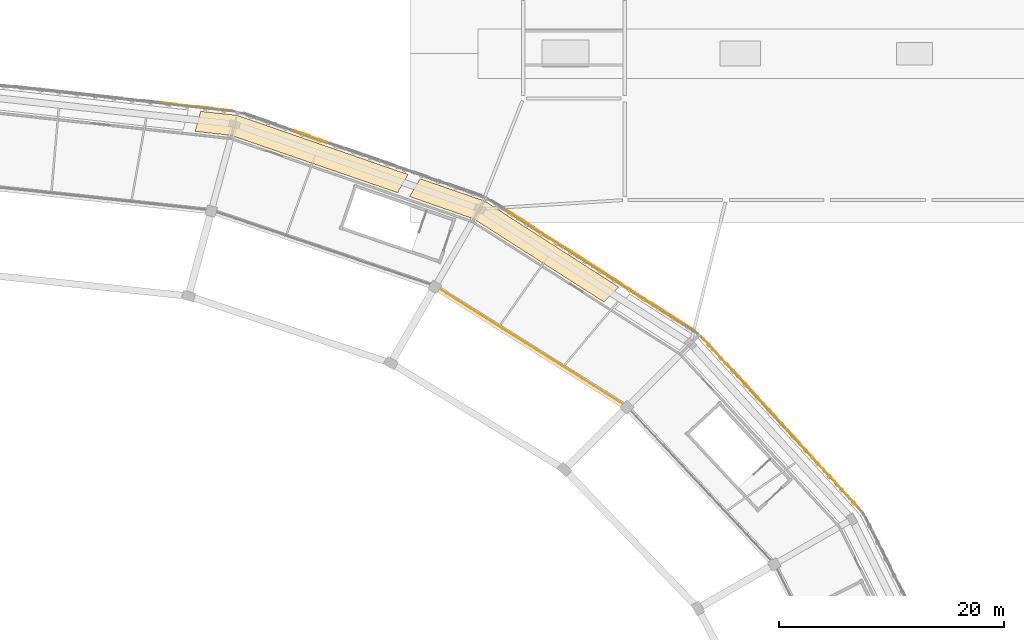
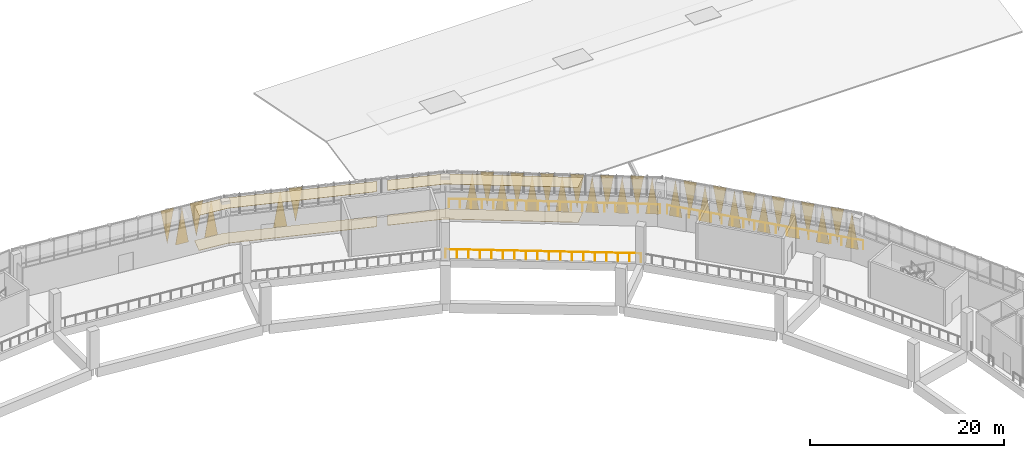
# One storey, part 104 of 108: 36 coverings, 3 railings.
"""IFC4 building model written with IfcOpenShell, lengths in metres."""

from ifc_helpers import new_model, si_unit, direction, frame, origin, origin_2d, place, context, subcontext, project, spatial, polyline, circle, outline, extrude, material, layer, layer_set, type_object, element, save


model = new_model("IFC4")

# Units and contexts
model_context = context("Model", 3, precision=1e-05, world=origin(), true_north=direction((0.0, 1.0)))
body_context = subcontext(model_context, "Body", "Model", "MODEL_VIEW")
ifc_project = project(units=[si_unit("LENGTHUNIT", "METRE"), si_unit("AREAUNIT", "SQUARE_METRE"), si_unit("VOLUMEUNIT", "CUBIC_METRE"), si_unit("PLANEANGLEUNIT", "RADIAN"), si_unit("MASSUNIT", "GRAM", prefix="KILO")], contexts=[model_context])

# Site, building, storey
site_placement = place(None, origin())
site = spatial("IfcSite", under=ifc_project, at=site_placement, CompositionType="ELEMENT")
building_placement = place(site_placement, origin())
building = spatial("IfcBuilding", under=site, at=building_placement, Name="Zevraka Park Crest Stadium", CompositionType="ELEMENT")
storey_placement = place(building_placement, frame((0.0, 0.0, 19.800048828125)))
storey = spatial("IfcBuildingStorey", under=building, at=storey_placement, Name="L04", CompositionType="ELEMENT", Elevation=19.800048828125)

# Coverings
ifc_material_1 = material(Name="Architectural golden-bronze perforated aluminium", Category="aluminium")
ifc_layer_1 = layer(ifc_material_1, 0.034912109375)
ifc_layer_set_1 = layer_set([ifc_layer_1], Name="Architectural golden-bronze perforated aluminium")
covering_type_1 = type_object("IfcCoveringType", Name="CLD01", PredefinedType="CLADDING", material=ifc_layer_set_1)
covering_1_placement = place(storey_placement, frame((190.883056640625, 130.639892578125, -0.219970703125), z_axis=(0.736606499775, 0.676321568847, 1.606827e-06), x_axis=(-0.676321568848, 0.736606499776, 0.0)))
element("IfcCovering", 1, at=covering_1_placement, inside=storey, type_object=covering_type_1, Name="Triangular Golden-Bronze Perforated Cladding L04-02-1", PredefinedType="CLADDING", context=body_context, shape_type="SweptSolid", body=[
    extrude(outline(polyline([(0.0, 0.0), (1.4255220778597701, -2.117582368135751e-22), (0.7129335155007621, 4.579833984380912), (0.0, 0.0)])), origin(), (0.0, 0.0, -1.0), 0.034912109375),
])
covering_2_placement = place(storey_placement, frame((188.846923828125, 132.85791015625, 4.52001953125), z_axis=(0.73652814677, 0.67640689572, 2.0908651e-05), x_axis=(0.676406895868, -0.736528146931, 0.0)))
element("IfcCovering", 2, at=covering_2_placement, inside=storey, type_object=covering_type_1, Name="Triangular Golden-Bronze Perforated Cladding L04-02-2", PredefinedType="CLADDING", context=body_context, shape_type="SweptSolid", body=[
    extrude(outline(polyline([(0.0, 0.0), (1.4253422518524892, 3.3881317890172014e-21), (0.7127536951274003, 4.30004882906493), (0.0, 0.0)])), origin(), (0.0, 0.0, -1.0), 0.034912109375),
])
covering_3_placement = place(storey_placement, frame((188.739013671875, 132.97607421875, -0.219970703125), z_axis=(0.736869542988, 0.676034964439, 5.8921281e-05), x_axis=(-0.676034965613, 0.736869544267, 0.0)))
element("IfcCovering", 3, at=covering_3_placement, inside=storey, type_object=covering_type_1, Name="Triangular Golden-Bronze Perforated Cladding L04-02-3", PredefinedType="CLADDING", context=body_context, shape_type="SweptSolid", body=[
    extrude(outline(polyline([(0.0, 0.0), (1.4246818798077332, 0.0), (0.7125885113024064, 4.579833992324945), (0.0, 0.0)])), origin(), (0.0, 0.0, -1.0), 0.034912109375),
])
covering_4_placement = place(storey_placement, frame((186.7041015625, 135.194091796875, 4.52001953125), z_axis=(0.73703320263, 0.675856533637, 6.4505657e-05), x_axis=(0.675856535043, -0.737033204163, 0.0)))
element("IfcCovering", 4, at=covering_4_placement, inside=storey, type_object=covering_type_1, Name="Triangular Golden-Bronze Perforated Cladding L04-02-4", PredefinedType="CLADDING", context=body_context, shape_type="SweptSolid", body=[
    extrude(outline(polyline([(0.0, 0.0), (1.4246967737590959, 0.0), (0.7127683648268546, 4.300048837071208), (0.0, 0.0)])), origin(), (0.0, 0.0, -1.0), 0.034912109375),
])
covering_5_placement = place(storey_placement, frame((186.595947265625, 135.31201171875, -0.219970703125), z_axis=(0.736378282027, 0.676570038968, 9.0166059e-05), x_axis=(-0.676570041718, 0.736378285021, 0.0)))
element("IfcCovering", 5, at=covering_5_placement, inside=storey, type_object=covering_type_1, Name="Triangular Golden-Bronze Perforated Cladding L04-02-5", PredefinedType="CLADDING", context=body_context, shape_type="SweptSolid", body=[
    extrude(outline(polyline([(0.0, 0.0), (1.4246376990809737, 1.3552527156068805e-20), (0.7118693999036334, 4.579834002991838), (0.0, 0.0)])), origin(), (0.0, 0.0, -1.0), 0.034912109375),
])
covering_6_placement = place(storey_placement, frame((184.56005859375, 137.529052734375, 4.52001953125), z_axis=(-0.736691824454, -0.676228626586, 1.9196861e-05), x_axis=(0.67622862671, -0.73669182459, 0.0)))
element("IfcCovering", 6, at=covering_6_placement, inside=storey, type_object=covering_type_1, Name="Triangular Golden-Bronze Perforated Cladding L04-02-6", PredefinedType="CLADDING", context=body_context, shape_type="SweptSolid", body=[
    extrude(outline(polyline([(0.0, 0.0), (1.4253569716340697, -1.6940658945086007e-21), (0.7127684140182788, -4.300048828917326), (0.0, 0.0)])), origin(), (0.0, 0.0, -1.0), 0.034912109375),
])
covering_7_placement = place(storey_placement, frame((184.451904296875, 137.64697265625, -0.219970703125), z_axis=(-0.737033200725, -0.67585653189, 9.6593351e-05), x_axis=(-0.675856535043, 0.737033204163, 0.0)))
element("IfcCovering", 7, at=covering_7_placement, inside=storey, type_object=covering_type_1, Name="Triangular Golden-Bronze Perforated Cladding L04-02-7", PredefinedType="CLADDING", context=body_context, shape_type="SweptSolid", body=[
    extrude(outline(polyline([(0.0, 0.0), (1.4246967737590959, 0.0), (0.7121083486793515, -4.579834005740556), (0.0, 0.0)])), origin(), (0.0, 0.0, -1.0), 0.034912109375),
])
covering_8_placement = place(storey_placement, frame((182.4169921875, 139.864990234375, 4.52001953125), z_axis=(-0.736606499774, -0.676321568847, 1.711376e-06), x_axis=(0.676321568848, -0.736606499776, 0.0)))
element("IfcCovering", 8, at=covering_8_placement, inside=storey, type_object=covering_type_1, Name="Triangular Golden-Bronze Perforated Cladding L04-02-8", PredefinedType="CLADDING", context=body_context, shape_type="SweptSolid", body=[
    extrude(outline(polyline([(0.0, 0.0), (1.4255220778597701, -2.117582368135751e-22), (0.7125885623590082, -4.300048828131297), (0.0, 0.0)])), origin(), (0.0, 0.0, -1.0), 0.034912109375),
])
covering_9_placement = place(storey_placement, frame((182.30908203125, 139.98291015625, -0.219970703125), z_axis=(-0.736292908561, -0.676662949943, 7.0553383e-05), x_axis=(-0.676662951627, 0.736292910393, 0.0)))
element("IfcCovering", 9, at=covering_9_placement, inside=storey, type_object=covering_type_1, Name="Triangular Golden-Bronze Perforated Cladding L04-02-9", PredefinedType="CLADDING", context=body_context, shape_type="SweptSolid", body=[
    extrude(outline(polyline([(0.0, 0.0), (1.4248028886560142, -1.3552527156068805e-20), (0.7129334423142855, -4.579833995773702), (0.0, 0.0)])), origin(), (0.0, 0.0, -1.0), 0.034912109375),
])
covering_10_placement = place(storey_placement, frame((180.27392578125, 142.199951171875, 4.52001953125), z_axis=(-0.736947844545, -0.675949603983, 8.5413888e-05), x_axis=(0.675949606449, -0.736947847233, 0.0)))
element("IfcCovering", 10, at=covering_10_placement, inside=storey, type_object=covering_type_1, Name="Triangular Golden-Bronze Perforated Cladding L04-02-10", PredefinedType="CLADDING", context=body_context, shape_type="SweptSolid", body=[
    extrude(outline(polyline([(0.0, 0.0), (1.4248617891578852, 1.3552527156068805e-20), (0.7119283682264674, -4.300048843810572), (0.0, 0.0)])), origin(), (0.0, 0.0, -1.0), 0.034912109375),
])
covering_11_placement = place(storey_placement, frame((180.1650390625, 142.318115234375, -0.219970703125), z_axis=(-0.736869540714, -0.676034962353, 9.8202135e-05), x_axis=(-0.676034965613, 0.736869544267, 0.0)))
element("IfcCovering", 11, at=covering_11_placement, inside=storey, type_object=covering_type_1, Name="Triangular Golden-Bronze Perforated Cladding L04-02-11", PredefinedType="CLADDING", context=body_context, shape_type="SweptSolid", body=[
    extrude(outline(polyline([(0.0, 0.0), (1.4246818798077332, 1.3552527156068805e-20), (0.7119283209063001, -4.57983400645818), (0.0, 0.0)])), origin(), (0.0, 0.0, -1.0), 0.034912109375),
])
covering_12_placement = place(storey_placement, frame((178.1298828125, 144.535888671875, 4.52001953125), z_axis=(0.73652814677, 0.67640689572, 2.0908651e-05), x_axis=(0.676406895868, -0.736528146931, 0.0)))
element("IfcCovering", 12, at=covering_12_placement, inside=storey, type_object=covering_type_1, Name="Triangular Golden-Bronze Perforated Cladding L04-02-12", PredefinedType="CLADDING", context=body_context, shape_type="SweptSolid", body=[
    extrude(outline(polyline([(0.0, 0.0), (1.4253422518524892, 3.3881317890172014e-21), (0.7127536951274003, 4.30004882906493), (0.0, 0.0)])), origin(), (0.0, 0.0, -1.0), 0.034912109375),
])
covering_13_placement = place(storey_placement, frame((178.02197265625, 144.654052734375, -0.219970703125), z_axis=(0.73669182447, 0.6762286266, 1.8024112e-05), x_axis=(-0.67622862671, 0.73669182459, 0.0)))
element("IfcCovering", 13, at=covering_13_placement, inside=storey, type_object=covering_type_1, Name="Triangular Golden-Bronze Perforated Cladding L04-02-13", PredefinedType="CLADDING", context=body_context, shape_type="SweptSolid", body=[
    extrude(outline(polyline([(0.0, 0.0), (1.4253569716340697, -3.3881317890172014e-21), (0.712588557615791, 4.579833985118923), (0.0, 0.0)])), origin(), (0.0, 0.0, -1.0), 0.034912109375),
])
covering_14_placement = place(storey_placement, frame((176.25390625, 146.3798828125, -0.219970703125), z_axis=(-0.539874501649, -0.841745505676, 0.000161691842), x_axis=(-0.841745516679, 0.539874508706, 0.0)))
element("IfcCovering", 14, at=covering_14_placement, inside=storey, type_object=covering_type_1, Name="Triangular Golden-Bronze Perforated Cladding L04-03-1", PredefinedType="CLADDING", context=body_context, shape_type="SweptSolid", body=[
    extrude(outline(polyline([(0.0, 0.0), (1.3837851212687016, -2.710505431213761e-20), (0.6916424105429726, -4.579834044243167), (0.0, 0.0)])), origin(), (0.0, 0.0, -1.0), 0.034912109375),
])
covering_15_placement = place(storey_placement, frame((173.7900390625, 147.9609375, 4.52001953125), z_axis=(-0.539990084002, -0.841671369899, 0.000119467349), x_axis=(0.841671375905, -0.539990087855, 0.0)))
element("IfcCovering", 15, at=covering_15_placement, inside=storey, type_object=covering_type_1, Name="Triangular Golden-Bronze Perforated Cladding L04-03-2", PredefinedType="CLADDING", context=body_context, shape_type="SweptSolid", body=[
    extrude(outline(polyline([(0.0, 0.0), (1.3830368161779776, 0.0), (0.6918479918828457, -4.300048858811111), (0.0, 0.0)])), origin(), (0.0, 0.0, -1.0), 0.034912109375),
])
covering_16_placement = place(storey_placement, frame((173.655029296875, 148.047119140625, -0.219970703125), z_axis=(-0.540169191028, -0.841556441261, 3.5159665e-05), x_axis=(-0.841556441782, 0.540169191361, 0.0)))
element("IfcCovering", 16, at=covering_16_placement, inside=storey, type_object=covering_type_1, Name="Triangular Golden-Bronze Perforated Cladding L04-03-3", PredefinedType="CLADDING", context=body_context, shape_type="SweptSolid", body=[
    extrude(outline(polyline([(0.0, 0.0), (1.3843861262991644, 3.3881317890172014e-21), (0.6917162082962512, -4.5798339872058005), (0.0, 0.0)])), origin(), (0.0, 0.0, -1.0), 0.034912109375),
])
covering_17_placement = place(storey_placement, frame((171.19091796875, 149.6279296875, 4.52001953125), z_axis=(0.539669320832, 0.841877083691, 1.0417134e-05), x_axis=(0.841877083737, -0.539669320861, 0.0)))
element("IfcCovering", 17, at=covering_17_placement, inside=storey, type_object=covering_type_1, Name="Triangular Golden-Bronze Perforated Cladding L04-03-4", PredefinedType="CLADDING", context=body_context, shape_type="SweptSolid", body=[
    extrude(outline(polyline([(0.0, 0.0), (1.383858861354129, 0.0), (0.6913207250743385, 4.300048828358313), (0.0, 0.0)])), origin(), (0.0, 0.0, -1.0), 0.034912109375),
])
covering_18_placement = place(storey_placement, frame((171.055908203125, 149.715087890625, -0.219970703125), z_axis=(0.539749483786, 0.841825690468, 4.0257504e-05), x_axis=(-0.84182569115, 0.539749484223, 0.0)))
element("IfcCovering", 18, at=covering_18_placement, inside=storey, type_object=covering_type_1, Name="Triangular Golden-Bronze Perforated Cladding L04-03-5", PredefinedType="CLADDING", context=body_context, shape_type="SweptSolid", body=[
    extrude(outline(polyline([(0.0, 0.0), (1.3836533312297754, 0.0), (0.6909834190478873, 4.579833988086193), (0.0, 0.0)])), origin(), (0.0, 0.0, -1.0), 0.034912109375),
])
covering_19_placement = place(storey_placement, frame((168.592041015625, 151.2958984375, 4.52001953125), z_axis=(-0.540169190983, -0.841556441191, 3.7447349e-05), x_axis=(0.841556441782, -0.540169191361, 0.0)))
element("IfcCovering", 19, at=covering_19_placement, inside=storey, type_object=covering_type_1, Name="Triangular Golden-Bronze Perforated Cladding L04-03-6", PredefinedType="CLADDING", context=body_context, shape_type="SweptSolid", body=[
    extrude(outline(polyline([(0.0, 0.0), (1.3843861262991644, 6.776263578034403e-21), (0.6917162082962512, -4.300048831139988), (0.0, 0.0)])), origin(), (0.0, 0.0, -1.0), 0.034912109375),
])
covering_20_placement = place(storey_placement, frame((168.45703125, 151.382080078125, -0.219970703125), z_axis=(-0.539669313088, -0.84187707161, 0.000169733531), x_axis=(-0.841877083737, 0.539669320861, 0.0)))
element("IfcCovering", 20, at=covering_20_placement, inside=storey, type_object=covering_type_1, Name="Triangular Golden-Bronze Perforated Cladding L04-03-7", PredefinedType="CLADDING", context=body_context, shape_type="SweptSolid", body=[
    extrude(outline(polyline([(0.0, 0.0), (1.383858861354129, 0.0), (0.6918477458954921, -4.5798340503462995), (0.0, 0.0)])), origin(), (0.0, 0.0, -1.0), 0.034912109375),
])
covering_21_placement = place(storey_placement, frame((165.992919921875, 152.962890625, 4.52001953125), z_axis=(-0.53966931609, -0.841877076293, 0.000132978723), x_axis=(0.841877083737, -0.539669320861, 0.0)))
element("IfcCovering", 21, at=covering_21_placement, inside=storey, type_object=covering_type_1, Name="Triangular Golden-Bronze Perforated Cladding L04-03-8", PredefinedType="CLADDING", context=body_context, shape_type="SweptSolid", body=[
    extrude(outline(polyline([(0.0, 0.0), (1.383858861354129, 1.3552527156068805e-20), (0.6917159906902037, -4.300048866144615), (0.0, 0.0)])), origin(), (0.0, 0.0, -1.0), 0.034912109375),
])
covering_22_placement = place(storey_placement, frame((165.85791015625, 153.049072265625, -0.219970703125), z_axis=(-0.540374248982, -0.841424785213, 4.32092e-05), x_axis=(-0.841424785998, 0.540374249486, 0.0)))
element("IfcCovering", 22, at=covering_22_placement, inside=storey, type_object=covering_type_1, Name="Triangular Golden-Bronze Perforated Cladding L04-03-9", PredefinedType="CLADDING", context=body_context, shape_type="SweptSolid", body=[
    extrude(outline(polyline([(0.0, 0.0), (1.38431258652916, 6.776263578034403e-21), (0.6918481543048638, -4.579833988650356), (0.0, 0.0)])), origin(), (0.0, 0.0, -1.0), 0.034912109375),
])
covering_23_placement = place(storey_placement, frame((163.39404296875, 154.6298828125, 4.52001953125), z_axis=(0.539669319947, 0.84187708231, 5.8215753e-05), x_axis=(0.841877083737, -0.539669320861, 0.0)))
element("IfcCovering", 23, at=covering_23_placement, inside=storey, type_object=covering_type_1, Name="Triangular Golden-Bronze Perforated Cladding L04-03-10", PredefinedType="CLADDING", context=body_context, shape_type="SweptSolid", body=[
    extrude(outline(polyline([(0.0, 0.0), (1.383858861354129, -6.776263578034403e-21), (0.6911889698690501, 4.300048835411593), (0.0, 0.0)])), origin(), (0.0, 0.0, -1.0), 0.034912109375),
])
covering_24_placement = place(storey_placement, frame((163.259033203125, 154.717041015625, -0.219970703125), z_axis=(0.539794341765, 0.841796927746, 3.2198154e-05), x_axis=(-0.841796928182, 0.539794342045, 0.0)))
element("IfcCovering", 24, at=covering_24_placement, inside=storey, type_object=covering_type_1, Name="Triangular Golden-Bronze Perforated Cladding L04-03-11", PredefinedType="CLADDING", context=body_context, shape_type="SweptSolid", body=[
    extrude(outline(polyline([(0.0, 0.0), (1.3839906318215187, 0.0), (0.691320710798344, 4.579833986749005), (0.0, 0.0)])), origin(), (0.0, 0.0, -1.0), 0.034912109375),
])
covering_25_placement = place(storey_placement, frame((160.794921875, 156.298095703125, 4.52001953125), z_axis=(-0.540294068724, -0.841476271524, 6.1351737e-05), x_axis=(0.841476273108, -0.540294069741, 0.0)))
element("IfcCovering", 25, at=covering_25_placement, inside=storey, type_object=covering_type_1, Name="Triangular Golden-Bronze Perforated Cladding L04-03-12", PredefinedType="CLADDING", context=body_context, shape_type="SweptSolid", body=[
    extrude(outline(polyline([(0.0, 0.0), (1.384518018787818, 0.0), (0.6918481323074307, -4.300048836217768), (0.0, 0.0)])), origin(), (0.0, 0.0, -1.0), 0.034912109375),
])
covering_26_placement = place(storey_placement, frame((160.659912109375, 156.384033203125, -0.219970703125), z_axis=(-0.540195363018, -0.841539639055, 7.5322864e-05), x_axis=(-0.841539641442, 0.54019536455, 0.0)))
element("IfcCovering", 26, at=covering_26_placement, inside=storey, type_object=covering_type_1, Name="Triangular Golden-Bronze Perforated Cladding L04-03-13", PredefinedType="CLADDING", context=body_context, shape_type="SweptSolid", body=[
    extrude(outline(polyline([(0.0, 0.0), (1.382963204657725, 1.3552527156068805e-20), (0.6918480966037213, -4.57983399736692), (0.0, 0.0)])), origin(), (0.0, 0.0, -1.0), 0.034912109375),
])
covering_27_placement = place(storey_placement, frame((142.2451171875, 163.6201171875, 4.52001953125), z_axis=(0.327168665481, 0.944965959348, 0.0), x_axis=(0.944965959348, -0.327168665481, 0.0)))
element("IfcCovering", 27, at=covering_27_placement, inside=storey, type_object=covering_type_1, Name="Triangular Golden-Bronze Perforated Cladding L04-04-10", PredefinedType="CLADDING", context=body_context, shape_type="SweptSolid", body=[
    extrude(outline(polyline([(0.0, 0.0), (1.4431943476466869, 0.0), (0.7215971738233434, 4.300048828125001), (0.0, 0.0)])), origin(), (0.0, 0.0, -1.0), 0.034912109375),
])
covering_28_placement = place(storey_placement, frame((142.093994140625, 163.673095703125, -0.219970703125), z_axis=(-0.326756380841, -0.945108600766, 1.8355811e-05), x_axis=(-0.945108600926, 0.326756380896, 0.0)))
element("IfcCovering", 28, at=covering_28_placement, inside=storey, type_object=covering_type_1, Name="Triangular Golden-Bronze Perforated Cladding L04-04-11", PredefinedType="CLADDING", context=body_context, shape_type="SweptSolid", body=[
    extrude(outline(polyline([(0.0, 0.0), (1.4442681328241207, 0.0), (0.7215173306472258, -4.579833985146555), (0.0, 0.0)])), origin(), (0.0, 0.0, -1.0), 0.034912109375),
])
covering_29_placement = place(storey_placement, frame((135.155029296875, 165.950927734375, -0.219970703125), z_axis=(0.109760215407, 0.993958095246, 2.925535e-06), x_axis=(-0.99395809525, 0.109760215408, 0.0)))
element("IfcCovering", 29, at=covering_29_placement, inside=storey, type_object=covering_type_1, Name="Triangular Golden-Bronze Perforated Cladding L04-05-1", PredefinedType="CLADDING", context=body_context, shape_type="SweptSolid", body=[
    extrude(outline(polyline([(0.0, 0.0), (1.4769411156667285, 0.0), (0.7385918906086634, 4.579833984394599), (0.0, 0.0)])), origin(), (0.0, 0.0, -1.0), 0.034912109375),
])
covering_30_placement = place(storey_placement, frame((132.05908203125, 166.2919921875, 4.52001953125), z_axis=(-0.109688126843, -0.993966053036, 1.55692e-05), x_axis=(0.993966053156, -0.109688126857, 0.0)))
element("IfcCovering", 30, at=covering_30_placement, inside=storey, type_object=covering_type_1, Name="Triangular Golden-Bronze Perforated Cladding L04-05-2", PredefinedType="CLADDING", context=body_context, shape_type="SweptSolid", body=[
    extrude(outline(polyline([(0.0, 0.0), (1.477911781756094, 0.0), (0.7383492221444313, -4.300048828646166), (0.0, 0.0)])), origin(), (0.0, 0.0, -1.0), 0.034912109375),
])
covering_31_placement = place(storey_placement, frame((131.89990234375, 166.30908203125, -0.219970703125), z_axis=(0.10952491697, 0.993984050386, 1.1897208e-05), x_axis=(-0.993984050456, 0.109524916977, 0.0)))
element("IfcCovering", 31, at=covering_31_placement, inside=storey, type_object=covering_type_1, Name="Triangular Golden-Bronze Perforated Cladding L04-05-3", PredefinedType="CLADDING", context=body_context, shape_type="SweptSolid", body=[
    extrude(outline(polyline([(0.0, 0.0), (1.477885022351149, 0.0), (0.7383224617164366, 4.579833984699124), (0.0, 0.0)])), origin(), (0.0, 0.0, -1.0), 0.034912109375),
])
covering_32_placement = place(storey_placement, frame((128.803955078125, 166.64990234375, 4.52001953125), z_axis=(-0.108943553738, -0.994047934179, 8.156476e-05), x_axis=(0.994047937486, -0.1089435541, 0.0)))
element("IfcCovering", 32, at=covering_32_placement, inside=storey, type_object=covering_type_1, Name="Triangular Golden-Bronze Perforated Cladding L04-05-4", PredefinedType="CLADDING", context=body_context, shape_type="SweptSolid", body=[
    extrude(outline(polyline([(0.0, 0.0), (1.476807629456759, -1.6940658945086007e-21), (0.73856505479183, -4.300048842428705), (0.0, 0.0)])), origin(), (0.0, 0.0, -1.0), 0.034912109375),
])
ifc_material_2 = material(Name="Perforated acoustic mineral-fibre suspended ceiling", Category="other")
ifc_layer_2 = layer(ifc_material_2, 0.02490234375)
ifc_layer_set_2 = layer_set([ifc_layer_2], Name="Perforated acoustic mineral-fibre suspended ceiling")
covering_type_2 = type_object("IfcCoveringType", Name="CLG01", PredefinedType="CEILING", material=ifc_layer_set_2)
covering_33_placement = place(storey_placement, frame((0.0, 0.0, 4.39990234375)))
element("IfcCovering", 33, at=covering_33_placement, inside=storey, type_object=covering_type_2, Name="Acoustic Ceiling Presidential Reception Suite L04-027", PredefinedType="CEILING", context=body_context, shape_type="SweptSolid", body=[
    extrude(outline(polyline([(157.577880859375, 157.907958984375), (169.48095703125, 150.27294921875), (168.152099609375, 148.9599609375), (156.637939453125, 156.306884765625), (156.616943359375, 156.318115234375), (156.595947265625, 156.326904296875), (150.912109375, 158.31298828125), (151.847900390625, 159.89111328125), (157.577880859375, 157.907958984375)])), origin(), (0.0, 0.0, 1.0), 0.025146484375),
])
covering_34_placement = place(storey_placement, frame((0.0, 0.0, 4.39990234375)))
element("IfcCovering", 34, at=covering_34_placement, inside=storey, type_object=covering_type_2, Name="Acoustic Ceiling Presidential Reception Suite L04-028", PredefinedType="CEILING", context=body_context, shape_type="SweptSolid", body=[
    extrude(outline(polyline([(135.593994140625, 165.52099609375), (150.781982421875, 160.261962890625), (149.839111328125, 158.654052734375), (135.115966796875, 163.72509765625), (135.094970703125, 163.73095703125), (135.073974609375, 163.735107421875), (131.875, 164.10400390625), (132.363037109375, 165.8720703125), (135.593994140625, 165.52099609375)])), origin(), (0.0, 0.0, 1.0), 0.025146484375),
])
ifc_material_3 = material(Name="Honed terrazzo and slip-resistant sports flooring", Category="other")
ifc_layer_3 = layer(ifc_material_3, 0.0400390625)
ifc_layer_set_3 = layer_set([ifc_layer_3], Name="Honed terrazzo and slip-resistant sports flooring")
covering_type_3 = type_object("IfcCoveringType", Name="FLR01", PredefinedType="FLOORING", material=ifc_layer_set_3)
covering_35_placement = place(storey_placement, origin())
element("IfcCovering", 35, at=covering_35_placement, inside=storey, type_object=covering_type_3, Name="Terrazzo Floor Finish Presidential Reception Suite L04-027", PredefinedType="FLOORING", context=body_context, shape_type="SweptSolid", body=[
    extrude(outline(polyline([(157.577880859375, 157.907958984375), (169.48095703125, 150.27294921875), (168.152099609375, 148.9599609375), (156.637939453125, 156.306884765625), (156.616943359375, 156.318115234375), (156.595947265625, 156.326904296875), (150.912109375, 158.31298828125), (151.847900390625, 159.89111328125), (157.577880859375, 157.907958984375)])), origin(), (0.0, 0.0, 1.0), 0.0400390625),
])
covering_36_placement = place(storey_placement, origin())
element("IfcCovering", 36, at=covering_36_placement, inside=storey, type_object=covering_type_3, Name="Terrazzo Floor Finish Presidential Reception Suite L04-028", PredefinedType="FLOORING", context=body_context, shape_type="SweptSolid", body=[
    extrude(outline(polyline([(135.593994140625, 165.52099609375), (150.781982421875, 160.261962890625), (149.839111328125, 158.654052734375), (135.115966796875, 163.72509765625), (135.094970703125, 163.73095703125), (135.073974609375, 163.735107421875), (131.875, 164.10400390625), (132.363037109375, 165.8720703125), (135.593994140625, 165.52099609375)])), origin(), (0.0, 0.0, 1.0), 0.0400390625),
])

# Railings
ifc_material_4 = material(Name="Galvanised and bronze-finished steel balustrade", Category="steel")
railing_type = type_object("IfcRailingType", Name="GR01", PredefinedType="GUARDRAIL", material=ifc_material_4)
railing_1_placement = place(storey_placement, frame((158.01806640625, 157.99609375, 0.0)))
element("IfcRailing", 37, at=railing_1_placement, inside=storey, type_object=railing_type, Name="Deck Edge Protection Guardrail GR01 L04-9", PredefinedType="GUARDRAIL", context=body_context, shape_type="SweptSolid", body=[
    extrude(circle(Radius=0.02392578125, at=origin_2d()), frame((0.0, 0.0, 1.076171875), z_axis=(0.84169215784, -0.539957694111, 0.0), x_axis=(0.539957694111, 0.84169215784, 0.0)), (0.0, 0.0, 1.0), 21.75732421875),
    extrude(circle(Radius=0.02099609375, at=origin_2d()), origin(), (0.0, 0.0, 1.0), 1.052001953125),
    extrude(circle(Radius=0.02099609375, at=origin_2d()), frame((0.9638671875, -0.618408203125, 0.0)), (0.0, 0.0, 1.0), 1.052001953125),
    extrude(circle(Radius=0.02099609375, at=origin_2d()), frame((1.927734375, -1.236572265625, 0.0)), (0.0, 0.0, 1.0), 1.052001953125),
    extrude(circle(Radius=0.02099609375, at=origin_2d()), frame((2.8916015625, -1.85498046875, 0.0)), (0.0, 0.0, 1.0), 1.052001953125),
    extrude(circle(Radius=0.02099609375, at=origin_2d()), frame((3.85546875, -2.473388671875, 0.0)), (0.0, 0.0, 1.0), 1.052001953125),
    extrude(circle(Radius=0.02099609375, at=origin_2d()), frame((4.819091796875, -3.091552734375, 0.0)), (0.0, 0.0, 1.0), 1.052001953125),
    extrude(circle(Radius=0.02099609375, at=origin_2d()), frame((5.782958984375, -3.7099609375, 0.0)), (0.0, 0.0, 1.0), 1.052001953125),
    extrude(circle(Radius=0.02099609375, at=origin_2d()), frame((6.746826171875, -4.328125, 0.0)), (0.0, 0.0, 1.0), 1.052001953125),
    extrude(circle(Radius=0.02099609375, at=origin_2d()), frame((7.710693359375, -4.946533203125, 0.0)), (0.0, 0.0, 1.0), 1.052001953125),
    extrude(circle(Radius=0.02099609375, at=origin_2d()), frame((8.674560546875, -5.56494140625, 0.0)), (0.0, 0.0, 1.0), 1.052001953125),
    extrude(circle(Radius=0.02099609375, at=origin_2d()), frame((9.638427734375, -6.18310546875, 0.0)), (0.0, 0.0, 1.0), 1.052001953125),
    extrude(circle(Radius=0.02099609375, at=origin_2d()), frame((10.602294921875, -6.801513671875, 0.0)), (0.0, 0.0, 1.0), 1.052001953125),
    extrude(circle(Radius=0.02099609375, at=origin_2d()), frame((11.566162109375, -7.419921875, 0.0)), (0.0, 0.0, 1.0), 1.052001953125),
    extrude(circle(Radius=0.02099609375, at=origin_2d()), frame((12.530029296875, -8.0380859375, 0.0)), (0.0, 0.0, 1.0), 1.052001953125),
    extrude(circle(Radius=0.02099609375, at=origin_2d()), frame((13.493896484375, -8.656494140625, 0.0)), (0.0, 0.0, 1.0), 1.052001953125),
    extrude(circle(Radius=0.02099609375, at=origin_2d()), frame((14.45751953125, -9.274658203125, 0.0)), (0.0, 0.0, 1.0), 1.052001953125),
    extrude(circle(Radius=0.02099609375, at=origin_2d()), frame((15.42138671875, -9.89306640625, 0.0)), (0.0, 0.0, 1.0), 1.052001953125),
    extrude(circle(Radius=0.02099609375, at=origin_2d()), frame((16.38525390625, -10.511474609375, 0.0)), (0.0, 0.0, 1.0), 1.052001953125),
    extrude(circle(Radius=0.02099609375, at=origin_2d()), frame((17.34912109375, -11.129638671875, 0.0)), (0.0, 0.0, 1.0), 1.052001953125),
    extrude(circle(Radius=0.02099609375, at=origin_2d()), frame((18.31298828125, -11.748046875, 0.0)), (0.0, 0.0, 1.0), 1.052001953125),
])
railing_2_placement = place(storey_placement, frame((176.90087890625, 145.77197265625, 0.0)))
element("IfcRailing", 38, at=railing_2_placement, inside=storey, type_object=railing_type, Name="Deck Edge Protection Guardrail GR01 L04-10", PredefinedType="GUARDRAIL", context=body_context, shape_type="SweptSolid", body=[
    extrude(circle(Radius=0.02392578125, at=origin_2d()), frame((0.0, 0.0, 1.076171875), z_axis=(0.676163115343, -0.736751953815, 0.0), x_axis=(0.736751953815, 0.676163115343, 0.0)), (0.0, 0.0, 1.0), 21.12255859375),
    extrude(circle(Radius=0.02099609375, at=origin_2d()), origin(), (0.0, 0.0, 1.0), 1.052001953125),
    extrude(circle(Radius=0.02099609375, at=origin_2d()), frame((0.79345703125, -0.864501953125, 0.0)), (0.0, 0.0, 1.0), 1.052001953125),
    extrude(circle(Radius=0.02099609375, at=origin_2d()), frame((1.5869140625, -1.72900390625, 0.0)), (0.0, 0.0, 1.0), 1.052001953125),
    extrude(circle(Radius=0.02099609375, at=origin_2d()), frame((2.38037109375, -2.59375, 0.0)), (0.0, 0.0, 1.0), 1.052001953125),
    extrude(circle(Radius=0.02099609375, at=origin_2d()), frame((3.173828125, -3.458251953125, 0.0)), (0.0, 0.0, 1.0), 1.052001953125),
    extrude(circle(Radius=0.02099609375, at=origin_2d()), frame((3.96728515625, -4.32275390625, 0.0)), (0.0, 0.0, 1.0), 1.052001953125),
    extrude(circle(Radius=0.02099609375, at=origin_2d()), frame((4.7607421875, -5.187255859375, 0.0)), (0.0, 0.0, 1.0), 1.052001953125),
    extrude(circle(Radius=0.02099609375, at=origin_2d()), frame((5.55419921875, -6.052001953125, 0.0)), (0.0, 0.0, 1.0), 1.052001953125),
    extrude(circle(Radius=0.02099609375, at=origin_2d()), frame((6.34765625, -6.91650390625, 0.0)), (0.0, 0.0, 1.0), 1.052001953125),
    extrude(circle(Radius=0.02099609375, at=origin_2d()), frame((7.14111328125, -7.781005859375, 0.0)), (0.0, 0.0, 1.0), 1.052001953125),
    extrude(circle(Radius=0.02099609375, at=origin_2d()), frame((7.9345703125, -8.6455078125, 0.0)), (0.0, 0.0, 1.0), 1.052001953125),
    extrude(circle(Radius=0.02099609375, at=origin_2d()), frame((8.72802734375, -9.510009765625, 0.0)), (0.0, 0.0, 1.0), 1.052001953125),
    extrude(circle(Radius=0.02099609375, at=origin_2d()), frame((9.521484375, -10.374755859375, 0.0)), (0.0, 0.0, 1.0), 1.052001953125),
    extrude(circle(Radius=0.02099609375, at=origin_2d()), frame((10.31494140625, -11.2392578125, 0.0)), (0.0, 0.0, 1.0), 1.052001953125),
    extrude(circle(Radius=0.02099609375, at=origin_2d()), frame((11.1083984375, -12.103759765625, 0.0)), (0.0, 0.0, 1.0), 1.052001953125),
    extrude(circle(Radius=0.02099609375, at=origin_2d()), frame((11.90185546875, -12.96826171875, 0.0)), (0.0, 0.0, 1.0), 1.052001953125),
    extrude(circle(Radius=0.02099609375, at=origin_2d()), frame((12.6953125, -13.8330078125, 0.0)), (0.0, 0.0, 1.0), 1.052001953125),
    extrude(circle(Radius=0.02099609375, at=origin_2d()), frame((13.48876953125, -14.697509765625, 0.0)), (0.0, 0.0, 1.0), 1.052001953125),
    extrude(circle(Radius=0.02099609375, at=origin_2d()), frame((14.2822265625, -15.56201171875, 0.0)), (0.0, 0.0, 1.0), 1.052001953125),
])
railing_3_placement = place(storey_placement, frame((170.237060546875, 139.64306640625, 0.0)))
element("IfcRailing", 39, at=railing_3_placement, inside=storey, type_object=railing_type, Name="Deck Edge Protection Guardrail GR01 L04-40", PredefinedType="GUARDRAIL", context=body_context, shape_type="SweptSolid", body=[
    extrude(circle(Radius=0.02392578125, at=origin_2d()), frame((0.0, 0.0, 1.076171875), z_axis=(-0.847019252864, 0.531562212048, 0.0), x_axis=(-0.531562212048, -0.847019252864, 0.0)), (0.0, 0.0, 1.0), 20.1328125),
    extrude(circle(Radius=0.02099609375, at=origin_2d()), origin(), (0.0, 0.0, 1.0), 1.052001953125),
    extrude(circle(Radius=0.02099609375, at=origin_2d()), frame((-1.003173828125, 0.629638671875, 0.0)), (0.0, 0.0, 1.0), 1.052001953125),
    extrude(circle(Radius=0.02099609375, at=origin_2d()), frame((-2.00634765625, 1.259033203125, 0.0)), (0.0, 0.0, 1.0), 1.052001953125),
    extrude(circle(Radius=0.02099609375, at=origin_2d()), frame((-3.00927734375, 1.888671875, 0.0)), (0.0, 0.0, 1.0), 1.052001953125),
    extrude(circle(Radius=0.02099609375, at=origin_2d()), frame((-4.012451171875, 2.51806640625, 0.0)), (0.0, 0.0, 1.0), 1.052001953125),
    extrude(circle(Radius=0.02099609375, at=origin_2d()), frame((-5.015625, 3.147705078125, 0.0)), (0.0, 0.0, 1.0), 1.052001953125),
    extrude(circle(Radius=0.02099609375, at=origin_2d()), frame((-6.018798828125, 3.777099609375, 0.0)), (0.0, 0.0, 1.0), 1.052001953125),
    extrude(circle(Radius=0.02099609375, at=origin_2d()), frame((-7.021728515625, 4.40673828125, 0.0)), (0.0, 0.0, 1.0), 1.052001953125),
    extrude(circle(Radius=0.02099609375, at=origin_2d()), frame((-8.02490234375, 5.0361328125, 0.0)), (0.0, 0.0, 1.0), 1.052001953125),
    extrude(circle(Radius=0.02099609375, at=origin_2d()), frame((-9.028076171875, 5.665771484375, 0.0)), (0.0, 0.0, 1.0), 1.052001953125),
    extrude(circle(Radius=0.02099609375, at=origin_2d()), frame((-10.03125, 6.295166015625, 0.0)), (0.0, 0.0, 1.0), 1.052001953125),
    extrude(circle(Radius=0.02099609375, at=origin_2d()), frame((-11.0341796875, 6.9248046875, 0.0)), (0.0, 0.0, 1.0), 1.052001953125),
    extrude(circle(Radius=0.02099609375, at=origin_2d()), frame((-12.037353515625, 7.55419921875, 0.0)), (0.0, 0.0, 1.0), 1.052001953125),
    extrude(circle(Radius=0.02099609375, at=origin_2d()), frame((-13.04052734375, 8.183837890625, 0.0)), (0.0, 0.0, 1.0), 1.052001953125),
    extrude(circle(Radius=0.02099609375, at=origin_2d()), frame((-14.043701171875, 8.813232421875, 0.0)), (0.0, 0.0, 1.0), 1.052001953125),
    extrude(circle(Radius=0.02099609375, at=origin_2d()), frame((-15.046630859375, 9.44287109375, 0.0)), (0.0, 0.0, 1.0), 1.052001953125),
    extrude(circle(Radius=0.02099609375, at=origin_2d()), frame((-16.0498046875, 10.072265625, 0.0)), (0.0, 0.0, 1.0), 1.052001953125),
    extrude(circle(Radius=0.02099609375, at=origin_2d()), frame((-17.052978515625, 10.701904296875, 0.0)), (0.0, 0.0, 1.0), 1.052001953125),
])

save(model, "model.ifc")
